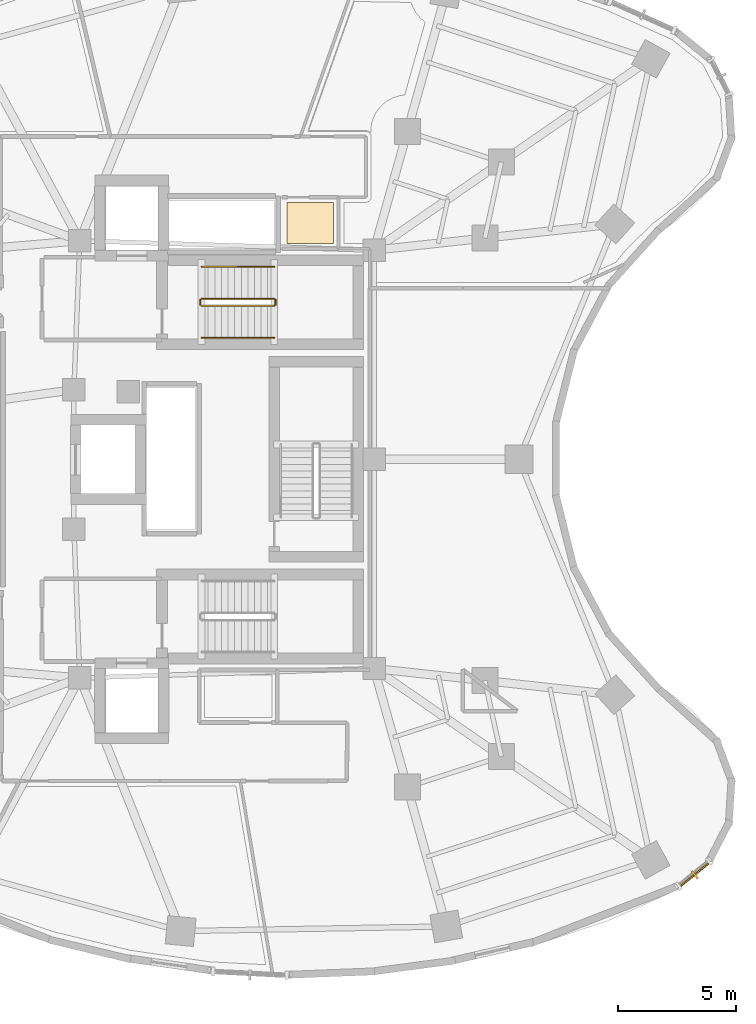
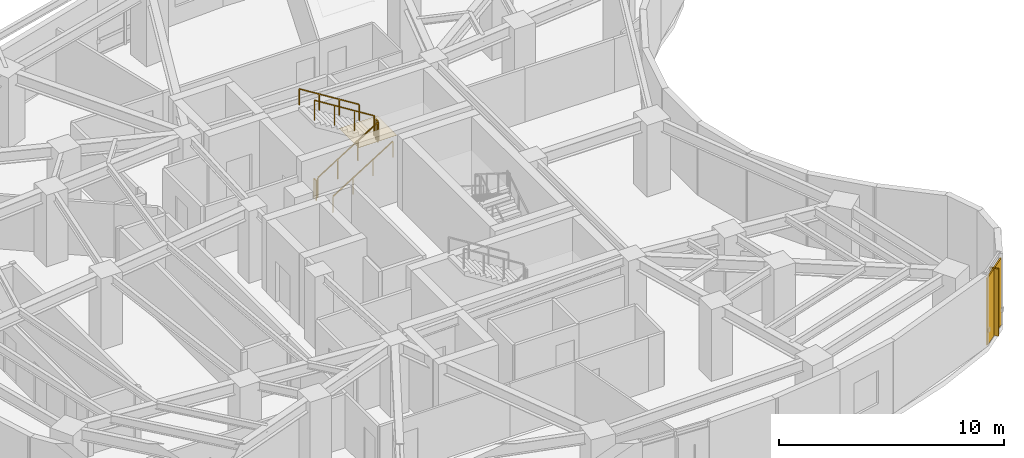
# One storey, part 13 of 14: 6 railings, 2 shading devices, 1 covering.
"""IFC4 building model written with IfcOpenShell, lengths in metres."""

import ifcopenshell
import ifcopenshell.guid

model = None  # the IFC model being written
_history = None  # IfcOwnerHistory: only IFC2X3 demands one
_inside = {}  # id of a spatial element -> (the spatial element, [elements in it])
_under = {}  # id of a project, library or spatial element -> (it, [spatial elements below it])
_declared = {}  # id of a project -> (the project, [libraries it declares])
_typed = {}  # id of a type object -> (the type object, [elements of that type])
_made_of = {}  # id of a material, layer set ... -> (it, [elements and type objects made of it])


def new_model(schema):
    """Start an empty IFC model of exactly this schema.

    Asked for "IFC4X3", IfcOpenShell would pick the latest addendum, in which some entities
    have other attributes; the version numbers below select the first issue.
    IFC2X3 requires an IfcOwnerHistory on every rooted entity: one is made here for all.
    """
    global model, _history
    if schema == "IFC4X3":
        model = ifcopenshell.file(schema_version=(4, 3, 0, 0))
    else:
        model = ifcopenshell.file(schema=schema)
    _inside.clear()
    _under.clear()
    _declared.clear()
    _typed.clear()
    _made_of.clear()
    _history = None
    if model.schema == "IFC2X3":
        org = make("IfcOrganization", Name="unknown")
        user = make(
            "IfcPersonAndOrganization",
            ThePerson=make("IfcPerson", FamilyName="unknown"),
            TheOrganization=org,
        )
        app = make(
            "IfcApplication",
            ApplicationDeveloper=org,
            Version="unknown",
            ApplicationFullName="unknown",
            ApplicationIdentifier="unknown",
        )
        _history = make(
            "IfcOwnerHistory",
            OwningUser=user,
            OwningApplication=app,
            ChangeAction="ADDED",
            CreationDate=0,
        )
    return model


def make(cls, **values):
    """One entity of the class cls with the attributes given. An attribute that is None is left unset."""
    return model.create_entity(
        cls, **{name: value for name, value in values.items() if value is not None}
    )


def rooted(cls, **values):
    """An entity with a GlobalId (a new one), such as an element, a storey or a relation."""
    return make(cls, GlobalId=ifcopenshell.guid.new(), OwnerHistory=_history, **values)


def si_unit(unit_type, name, prefix=None):
    """IfcSIUnit, for example si_unit("LENGTHUNIT", "METRE", prefix="MILLI")."""
    return make("IfcSIUnit", UnitType=unit_type, Prefix=prefix, Name=name)


def assignment(units):
    """IfcUnitAssignment: the units of a project."""
    return None if units is None else make("IfcUnitAssignment", Units=units)


def point(xyz):
    """IfcCartesianPoint."""
    return None if xyz is None else make("IfcCartesianPoint", Coordinates=xyz)


def direction(xyz):
    """IfcDirection."""
    return None if xyz is None else make("IfcDirection", DirectionRatios=xyz)


def frame(location, z_axis=None, x_axis=None):
    """IfcAxis2Placement3D, a coordinate frame: its origin and axes. An axis left out is left unset."""
    return make(
        "IfcAxis2Placement3D",
        Location=point(location),
        Axis=direction(z_axis),
        RefDirection=direction(x_axis),
    )


def frame_2d(location, x_axis=None):
    """IfcAxis2Placement2D, a coordinate frame in the plane: its origin and x axis."""
    return make(
        "IfcAxis2Placement2D", Location=point(location), RefDirection=direction(x_axis)
    )


def origin():
    """The frame at (0, 0, 0) with its axes left unset."""
    return frame((0.0, 0.0, 0.0))


def origin_2d():
    """The frame at (0, 0) in the plane with its x axis left unset."""
    return frame_2d((0.0, 0.0))


def place(relative_to, where):
    """IfcLocalPlacement: puts the frame where relative to a parent placement (None: the world)."""
    return make(
        "IfcLocalPlacement", PlacementRelTo=relative_to, RelativePlacement=where
    )


def context(
    kind, dimensions, precision=None, world=None, true_north=None, identifier=None
):
    """IfcGeometricRepresentationContext, for example the 3D "Model" context."""
    return make(
        "IfcGeometricRepresentationContext",
        ContextIdentifier=identifier,
        ContextType=kind,
        CoordinateSpaceDimension=dimensions,
        Precision=precision,
        WorldCoordinateSystem=world,
        TrueNorth=true_north,
    )


def subcontext(parent, identifier, kind, view, scale=None):
    """IfcGeometricRepresentationSubContext, for example "Body" below "Model"."""
    return make(
        "IfcGeometricRepresentationSubContext",
        ContextIdentifier=identifier,
        ContextType=kind,
        ParentContext=parent,
        TargetScale=scale,
        TargetView=view,
    )


def project(units=None, contexts=None):
    """IfcProject with its units and contexts."""
    return rooted(
        "IfcProject",
        Name="project",
        RepresentationContexts=contexts,
        UnitsInContext=assignment(units),
    )


def spatial(cls, under=None, at=None, **own):
    """A site, building, storey or space (cls), placed at a placement, below another one or the project."""
    s = rooted(cls, ObjectPlacement=at, **own)
    if under is not None:
        _under.setdefault(under.id(), (under, []))[1].append(s)
    return s


def polyline(points):
    """IfcPolyline through the points."""
    return make("IfcPolyline", Points=[point(p) for p in points])


def profile(cls, at=None, kind="AREA", **sizes):
    """A parametric profile (cls). Its sizes go by their IFC names, for example OverallWidth=200.0."""
    return make(cls, ProfileType=kind, Position=at, **sizes)


def rectangle(**sizes):
    """IfcRectangleProfileDef."""
    return profile("IfcRectangleProfileDef", **sizes)


def outline(outer, holes=None, kind="AREA"):
    """IfcArbitraryClosedProfileDef: a profile drawn as a closed curve; with holes, ...WithVoids."""
    if holes is None:
        return make("IfcArbitraryClosedProfileDef", ProfileType=kind, OuterCurve=outer)
    return make(
        "IfcArbitraryProfileDefWithVoids",
        ProfileType=kind,
        OuterCurve=outer,
        InnerCurves=holes,
    )


def extrude(swept, where, along, depth):
    """IfcExtrudedAreaSolid: the profile swept, set in the frame where, extruded along a direction by depth."""
    return make(
        "IfcExtrudedAreaSolid",
        SweptArea=swept,
        Position=where,
        ExtrudedDirection=direction(along),
        Depth=depth,
    )


def shape(context_of_items, identifier, shape_type, items):
    """IfcShapeRepresentation: the items that make up one representation, for example the "Body"."""
    return make(
        "IfcShapeRepresentation",
        ContextOfItems=context_of_items,
        RepresentationIdentifier=identifier,
        RepresentationType=shape_type,
        Items=items,
    )


def material(Name=None, Category=None):
    """IfcMaterial."""
    return make("IfcMaterial", Name=Name, Category=Category)


def layer(
    of_material, thickness, ventilated=None, Name=None, Category=None, Priority=None
):
    """IfcMaterialLayer: one layer of a wall or slab, of a material (None: an air gap)."""
    return make(
        "IfcMaterialLayer",
        Material=of_material,
        LayerThickness=thickness,
        IsVentilated=ventilated,
        Name=Name,
        Category=Category,
        Priority=Priority,
    )


def layer_set(layers, Name=None):
    """IfcMaterialLayerSet."""
    return make("IfcMaterialLayerSet", MaterialLayers=layers, LayerSetName=Name)


def made_of(thing, what):
    """Note that an element or type object is made of a material, layer set ...; save() writes the relation."""
    if what is not None:
        _made_of.setdefault(what.id(), (what, []))[1].append(thing)
    return thing


def type_object(cls, material=None, **own):
    """A type object (cls), such as IfcWallType, which elements share."""
    return made_of(rooted(cls, **own), material)


def element(
    cls,
    number,
    at=None,
    inside=None,
    cuts=None,
    type_object=None,
    material=None,
    context=None,
    identifier="Body",
    shape_type=None,
    held_by="IfcProductDefinitionShape",
    body=None,
    shapes=None,
    **own,
):
    """One element of the class cls, such as IfcWall. Its Tag is "e" and its number.

    at: its placement. inside: the storey or other place that contains it. cuts: it is an
    opening in that element (IfcRelVoidsElement). A single representation is given by context,
    identifier, shape_type and body (its items); several are given by shapes. held_by: the class
    of the entity that holds the representations. save() writes the other relations.
    """
    e = rooted(cls, Tag="e%d" % number, ObjectPlacement=at, **own)
    if body is not None:
        shapes = [shape(context, identifier, shape_type, body)]
    if shapes is not None:
        e.Representation = make(held_by, Representations=shapes)
    if inside is not None:
        _inside.setdefault(inside.id(), (inside, []))[1].append(e)
    if cuts is not None:
        rooted(
            "IfcRelVoidsElement", RelatingBuildingElement=cuts, RelatedOpeningElement=e
        )
    if type_object is not None:
        _typed.setdefault(type_object.id(), (type_object, []))[1].append(e)
    return made_of(e, material)


def aggregate(whole, parts):
    """IfcRelAggregates: a whole, such as a stair, and the parts it consists of."""
    return rooted("IfcRelAggregates", RelatingObject=whole, RelatedObjects=parts)


def save(model, path):
    """Write the relations noted so far, then the file.

    IfcRelAggregates (storeys below a building ...), IfcRelContainedInSpatialStructure (elements
    in a storey), IfcRelDefinesByType, IfcRelAssociatesMaterial and IfcRelDeclares: one each for
    every whole, place, type object, material and project.
    """
    for whole, parts in _under.values():
        aggregate(whole, parts)
    for where, things in _inside.values():
        rooted(
            "IfcRelContainedInSpatialStructure",
            RelatedElements=things,
            RelatingStructure=where,
        )
    for kind, things in _typed.values():
        rooted("IfcRelDefinesByType", RelatedObjects=things, RelatingType=kind)
    for what, things in _made_of.values():
        rooted("IfcRelAssociatesMaterial", RelatedObjects=things, RelatingMaterial=what)
    for by, libraries in _declared.values():
        rooted("IfcRelDeclares", RelatingContext=by, RelatedDefinitions=libraries)
    model.write(path)


model = new_model("IFC4")

# Units and contexts
model_context = context("Model", 3, precision=1e-05, world=origin(), true_north=direction((0.0, 1.0)))
body_context = subcontext(model_context, "Body", "Model", "MODEL_VIEW")
ifc_project = project(units=[si_unit("LENGTHUNIT", "METRE"), si_unit("AREAUNIT", "SQUARE_METRE"), si_unit("VOLUMEUNIT", "CUBIC_METRE"), si_unit("PLANEANGLEUNIT", "RADIAN"), si_unit("MASSUNIT", "GRAM", prefix="KILO")], contexts=[model_context])

# Site, building, storey
site_placement = place(None, origin())
site = spatial("IfcSite", under=ifc_project, at=site_placement, CompositionType="ELEMENT")
building_placement = place(site_placement, origin())
building = spatial("IfcBuilding", under=site, at=building_placement, Name="Korentha Bioscience Tower", CompositionType="ELEMENT")
storey_placement = place(building_placement, frame((0.0, 0.0, 132.0)))
storey = spatial("IfcBuildingStorey", under=building, at=storey_placement, Name="L30", CompositionType="ELEMENT", Elevation=132.0)

# Covering
ifc_material_1 = material(Name="Vitrified Porcelain Tile", Category="ceramic")
ifc_layer_1 = layer(ifc_material_1, 0.014892578125, Name="Vitrified Porcelain Tile")
ifc_layer_set_1 = layer_set([ifc_layer_1], Name="Vitrified Porcelain Tile (FL-CER)")
covering_type = type_object("IfcCoveringType", Name="Anti-Slip Ceramic Wet-Room Tile Flooring 15", PredefinedType="FLOORING", material=ifc_layer_set_1)
covering_placement = place(storey_placement, origin())
element("IfcCovering", 1, at=covering_placement, inside=storey, type_object=covering_type, Name="L30 Accessible Staff WC Floor Finish", PredefinedType="FLOORING", context=body_context, shape_type="SweptSolid", body=[
    extrude(outline(polyline([(33.8701171875, 36.1298828125), (33.8701171875, 37.8701171875), (35.830078125, 37.8701171875), (35.830078125, 36.1298828125), (33.8701171875, 36.1298828125)])), origin(), (0.0, 0.0, 1.0), 0.014892578125),
])

# Railings
ifc_material_2 = material(Name="Stainless Steel 304", Category="steel")
railing_type_1 = type_object("IfcRailingType", Name="Brushed Stainless Stair Handrail 900", PredefinedType="HANDRAIL", material=ifc_material_2)
railing_1_placement = place(storey_placement, frame((30.25, 32.14990234375, 0.175048828125)))
element("IfcRailing", 2, at=railing_1_placement, inside=storey, type_object=railing_type_1, Name="L30 ST-1 stair handrail 1", PredefinedType="HANDRAIL", context=body_context, shape_type="SweptSolid", body=[
    extrude(rectangle(XDim=0.048095703125, YDim=0.048095703125, at=origin_2d()), frame((0.0, 0.0, 0.8759765625), z_axis=(0.847998304005, 0.0, 0.529998940003), x_axis=(0.0, 1.0, 0.0)), (0.0, 0.0, 1.0), 3.632080078125),
    extrude(rectangle(XDim=0.0419921875, YDim=0.0419921875, at=origin_2d()), origin(), (0.0, 0.0, 1.0), 0.851806640625),
    extrude(rectangle(XDim=0.0419921875, YDim=0.0419921875, at=origin_2d()), frame((1.026611328125, 0.0, 0.6416015625)), (0.0, 0.0, 1.0), 0.851806640625),
    extrude(rectangle(XDim=0.0419921875, YDim=0.0419921875, at=origin_2d()), frame((2.053466796875, 0.0, 1.283447265625)), (0.0, 0.0, 1.0), 0.851806640625),
    extrude(rectangle(XDim=0.0419921875, YDim=0.0419921875, at=origin_2d()), frame((3.080078125, 0.0, 1.925048828125)), (0.0, 0.0, 1.0), 0.851806640625),
])
railing_2_placement = place(storey_placement, frame((33.330078125, 35.14990234375, 2.27490234375)))
element("IfcRailing", 3, at=railing_2_placement, inside=storey, type_object=railing_type_1, Name="L30 ST-1 stair handrail 2", PredefinedType="HANDRAIL", context=body_context, shape_type="SweptSolid", body=[
    extrude(rectangle(XDim=0.048095703125, YDim=0.048095703125, at=origin_2d()), frame((0.0, 0.0, 0.8759765625), z_axis=(-0.847998304005, 0.0, 0.529998940003), x_axis=(0.0, -1.0, 0.0)), (0.0, 0.0, 1.0), 3.632080078125),
    extrude(rectangle(XDim=0.0419921875, YDim=0.0419921875, at=origin_2d()), origin(), (0.0, 0.0, 1.0), 0.851806640625),
    extrude(rectangle(XDim=0.0419921875, YDim=0.0419921875, at=origin_2d()), frame((-1.026611328125, 0.0, 0.6416015625)), (0.0, 0.0, 1.0), 0.851806640625),
    extrude(rectangle(XDim=0.0419921875, YDim=0.0419921875, at=origin_2d()), frame((-2.053466796875, 0.0, 1.283447265625)), (0.0, 0.0, 1.0), 0.851806640625),
    extrude(rectangle(XDim=0.0419921875, YDim=0.0419921875, at=origin_2d()), frame((-3.080078125, 0.0, 1.925048828125)), (0.0, 0.0, 1.0), 0.851806640625),
])
ifc_material_3 = material(Name="Painted Steel S275", Category="steel")
railing_type_2 = type_object("IfcRailingType", Name="Painted Steel Stair Well Guardrail 1100", PredefinedType="GUARDRAIL", material=ifc_material_3)
railing_3_placement = place(storey_placement, frame((30.25, 33.5, 0.175048828125)))
element("IfcRailing", 4, at=railing_3_placement, inside=storey, type_object=railing_type_2, Name="L30 ST-1 stair guard 1", PredefinedType="GUARDRAIL", context=body_context, shape_type="SweptSolid", body=[
    extrude(rectangle(XDim=0.048095703125, YDim=0.048095703125, at=origin_2d()), frame((0.0, 0.0, 1.076171875), z_axis=(0.847998304005, 0.0, 0.529998940003), x_axis=(0.0, 1.0, 0.0)), (0.0, 0.0, 1.0), 3.632080078125),
    extrude(rectangle(XDim=0.0419921875, YDim=0.0419921875, at=origin_2d()), origin(), (0.0, 0.0, 1.0), 1.052001953125),
    extrude(rectangle(XDim=0.0419921875, YDim=0.0419921875, at=origin_2d()), frame((1.026611328125, 0.0, 0.6416015625)), (0.0, 0.0, 1.0), 1.052001953125),
    extrude(rectangle(XDim=0.0419921875, YDim=0.0419921875, at=origin_2d()), frame((2.053466796875, 0.0, 1.283447265625)), (0.0, 0.0, 1.0), 1.052001953125),
    extrude(rectangle(XDim=0.0419921875, YDim=0.0419921875, at=origin_2d()), frame((3.080078125, 0.0, 1.925048828125)), (0.0, 0.0, 1.0), 1.052001953125),
])
railing_4_placement = place(storey_placement, frame((33.3798828125, 33.550048828125, 2.10009765625)))
element("IfcRailing", 5, at=railing_4_placement, inside=storey, type_object=railing_type_2, Name="L30 ST-1 stair guard 2", PredefinedType="GUARDRAIL", context=body_context, shape_type="SweptSolid", body=[
    extrude(rectangle(XDim=0.048095703125, YDim=0.048095703125, at=origin_2d()), frame((0.0, 0.0, 1.076171875), z_axis=(0.0, 1.0, 0.0), x_axis=(-1.0, 0.0, 0.0)), (0.0, 0.0, 1.0), 0.199951171875),
    extrude(rectangle(XDim=0.0419921875, YDim=0.0419921875, at=origin_2d()), origin(), (0.0, 0.0, 1.0), 1.052001953125),
    extrude(rectangle(XDim=0.0419921875, YDim=0.0419921875, at=origin_2d()), frame((0.0, 0.199951171875, 0.0)), (0.0, 0.0, 1.0), 1.052001953125),
])
railing_5_placement = place(storey_placement, frame((33.330078125, 33.800048828125, 2.27490234375)))
element("IfcRailing", 6, at=railing_5_placement, inside=storey, type_object=railing_type_2, Name="L30 ST-1 stair guard 3", PredefinedType="GUARDRAIL", context=body_context, shape_type="SweptSolid", body=[
    extrude(rectangle(XDim=0.048095703125, YDim=0.048095703125, at=origin_2d()), frame((0.0, 0.0, 1.076171875), z_axis=(-0.847998304005, 0.0, 0.529998940003), x_axis=(0.0, -1.0, 0.0)), (0.0, 0.0, 1.0), 3.632080078125),
    extrude(rectangle(XDim=0.0419921875, YDim=0.0419921875, at=origin_2d()), origin(), (0.0, 0.0, 1.0), 1.052001953125),
    extrude(rectangle(XDim=0.0419921875, YDim=0.0419921875, at=origin_2d()), frame((-1.026611328125, 0.0, 0.6416015625)), (0.0, 0.0, 1.0), 1.052001953125),
    extrude(rectangle(XDim=0.0419921875, YDim=0.0419921875, at=origin_2d()), frame((-2.053466796875, 0.0, 1.283447265625)), (0.0, 0.0, 1.0), 1.052001953125),
    extrude(rectangle(XDim=0.0419921875, YDim=0.0419921875, at=origin_2d()), frame((-3.080078125, 0.0, 1.925048828125)), (0.0, 0.0, 1.0), 1.052001953125),
])
railing_6_placement = place(storey_placement, frame((30.199951171875, 33.550048828125, 0.0)))
element("IfcRailing", 7, at=railing_6_placement, inside=storey, type_object=railing_type_2, Name="L30 ST-1 stair guard 4", PredefinedType="GUARDRAIL", context=body_context, shape_type="SweptSolid", body=[
    extrude(rectangle(XDim=0.048095703125, YDim=0.048095703125, at=origin_2d()), frame((0.0, 0.0, 1.076171875), z_axis=(0.0, 1.0, 0.0), x_axis=(-1.0, 0.0, 0.0)), (0.0, 0.0, 1.0), 0.199951171875),
    extrude(rectangle(XDim=0.0419921875, YDim=0.0419921875, at=origin_2d()), origin(), (0.0, 0.0, 1.0), 1.052001953125),
    extrude(rectangle(XDim=0.0419921875, YDim=0.0419921875, at=origin_2d()), frame((0.0, 0.199951171875, 0.0)), (0.0, 0.0, 1.0), 1.052001953125),
])

# Shading devices
ifc_material_4 = material(Name="Perforated Stone-Ceramic Composite", Category="masonry")
ifc_layer_2 = layer(ifc_material_4, 0.06494140625, Name="Perforated Stone-Ceramic Composite")
ifc_layer_set_2 = layer_set([ifc_layer_2], Name="Perforated Stone-Ceramic Composite (CS-01)")
shading_device_type_1 = type_object("IfcShadingDeviceType", Name="Perforated Stone-Ceramic Solar Screen Panel 65", PredefinedType="USERDEFINED", material=ifc_layer_set_2)
shading_device_1_placement = place(storey_placement, frame((51.1103515625, 9.428955078125, 0.0), z_axis=(0.0, 0.0, 1.0), x_axis=(0.777315301098, 0.629111216463, 0.0)))
element("IfcShadingDevice", 8, at=shading_device_1_placement, inside=storey, type_object=shading_device_type_1, Name="CW-L30-37 Perforated Stone-Ceramic Solar Screen", ObjectType="SCREEN", PredefinedType="USERDEFINED", context=body_context, shape_type="SweptSolid", body=[
    extrude(rectangle(XDim=1.737548828125, YDim=0.06494140625, at=origin_2d()), origin(), (0.0, 0.0, 1.0), 3.64990234375),
])
ifc_material_5 = material(Name="Honed Travertine Limestone", Category="masonry")
ifc_layer_3 = layer(ifc_material_5, 0.080078125, Name="Honed Travertine Limestone")
ifc_layer_set_3 = layer_set([ifc_layer_3], Name="Honed Travertine Limestone (CS-02)")
shading_device_type_2 = type_object("IfcShadingDeviceType", Name="Vertical Honed Limestone Sunshade Fin 80x420", PredefinedType="USERDEFINED", material=ifc_layer_set_3)
shading_device_2_placement = place(storey_placement, frame((51.122802734375, 9.413330078125, 0.0), z_axis=(0.0, 0.0, 1.0), x_axis=(0.777315301098, 0.629111216463, 0.0)))
element("IfcShadingDevice", 9, at=shading_device_2_placement, inside=storey, type_object=shading_device_type_2, Name="CW-L30-37 Limestone Sunshade Fin", ObjectType="SCREEN", PredefinedType="USERDEFINED", context=body_context, shape_type="SweptSolid", body=[
    extrude(rectangle(XDim=0.080078125, YDim=0.419921875, at=origin_2d()), origin(), (0.0, 0.0, 1.0), 3.64990234375),
])

save(model, "model.ifc")
